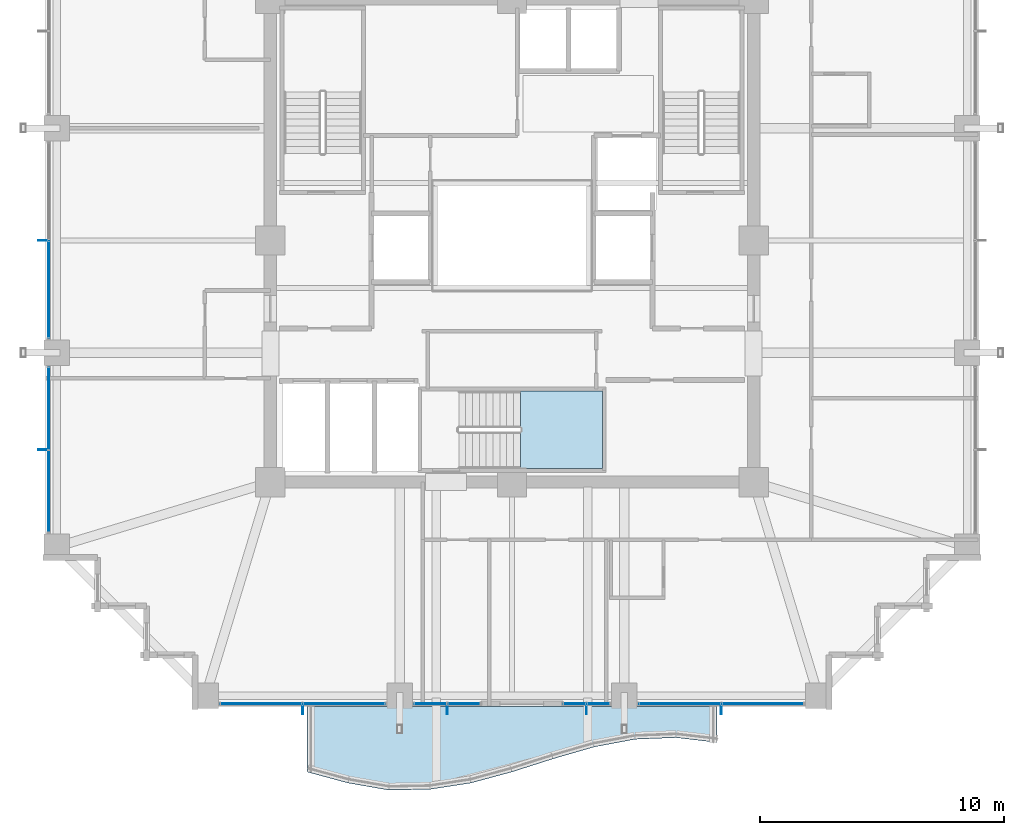
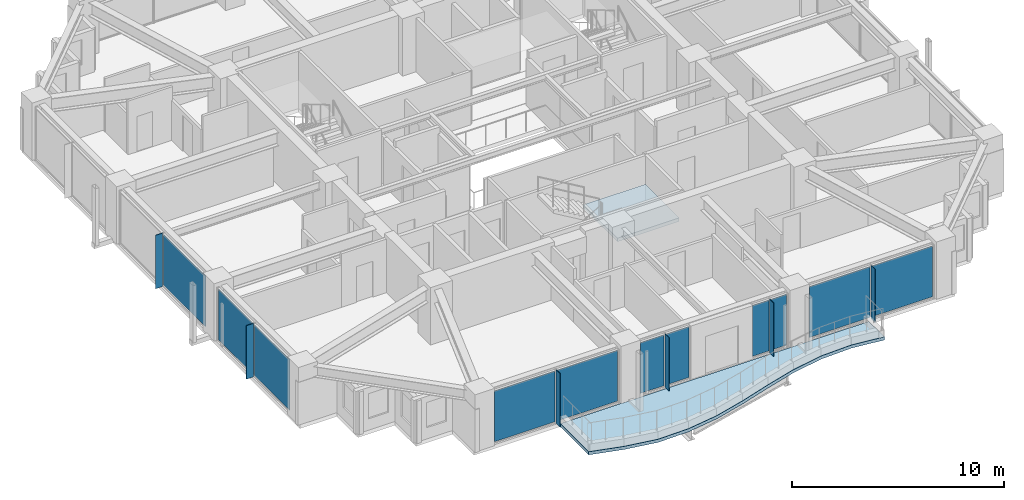
# One storey, part 20 of 31: 17 plates, 2 slabs, 7 elements without a shape of their own.
"""IFC4 building model written with IfcOpenShell, lengths in metres."""

from ifc_helpers import new_model, si_unit, direction, frame, origin, origin_2d, place, context, subcontext, project, spatial, polyline, rectangle, outline, extrude, material, layer, layer_set, type_object, element, aggregate, save


model = new_model("IFC4")

# Units and contexts
model_context = context("Model", 3, precision=1e-05, world=origin(), true_north=direction((0.0, 1.0)))
body_context = subcontext(model_context, "Body", "Model", "MODEL_VIEW")
ifc_project = project(units=[si_unit("LENGTHUNIT", "METRE"), si_unit("AREAUNIT", "SQUARE_METRE"), si_unit("VOLUMEUNIT", "CUBIC_METRE"), si_unit("PLANEANGLEUNIT", "RADIAN"), si_unit("MASSUNIT", "GRAM", prefix="KILO")], contexts=[model_context])

# Site, building, storey
site_placement = place(None, origin())
site = spatial("IfcSite", under=ifc_project, at=site_placement, CompositionType="ELEMENT")
building_placement = place(site_placement, origin())
building = spatial("IfcBuilding", under=site, at=building_placement, Name="Kolvaren Belvedere", CompositionType="ELEMENT")
storey_placement = place(building_placement, frame((0.0, 0.0, 118.39990234375)))
storey = spatial("IfcBuildingStorey", under=building, at=storey_placement, Name="L34", CompositionType="ELEMENT", Elevation=118.39990234375)

# Curtain wall, plates
ifc_material_1 = material(Name="Anodised pale-metal aluminium AA 6063-T6", Category="aluminium")
curtain_wall_type = type_object("IfcCurtainWallType", Name="CW-Z3-WAIST", PredefinedType="NOTDEFINED", material=ifc_material_1)
curtain_wall_1_placement = place(storey_placement, origin())
curtain_wall_1 = element("IfcCurtainWall", 1, at=curtain_wall_1_placement, inside=storey, type_object=curtain_wall_type, Name="L34 Unitised Curtain Wall FCW-L34-S1-B1", PredefinedType="NOTDEFINED")
ifc_material_2 = material(Name="Low-iron triple insulated glass", Category="glass")
ifc_layer_1 = layer(ifc_material_2, 0.028076171875)
ifc_layer_set_1 = layer_set([ifc_layer_1], Name="Low-iron triple insulated glass")
plate_type_1 = type_object("IfcPlateType", Name="CW-PNL-VIS28", PredefinedType="CURTAIN_PANEL", material=ifc_layer_set_1)
plate_1_placement = place(storey_placement, frame((10.273681640625, -18.97998046875, 0.080078125), z_axis=(0.0, 0.0, 1.0), x_axis=(-1.0, 0.0, 0.0)))
plate_1 = element("IfcPlate", 2, at=plate_1_placement, type_object=plate_type_1, Name="FCW-L34-S1-B1 Vision Glazing Panel 1", PredefinedType="CURTAIN_PANEL", context=body_context, shape_type="SweptSolid", body=[
    extrude(rectangle(XDim=3.3173828125, YDim=0.028076171875, at=origin_2d()), origin(), (0.0, 0.0, 1.0), 2.919921875),
])
plate_2_placement = place(storey_placement, frame((6.876220703125, -18.97998046875, 0.080078125), z_axis=(0.0, 0.0, 1.0), x_axis=(-1.0, 0.0, 0.0)))
plate_2 = element("IfcPlate", 3, at=plate_2_placement, type_object=plate_type_1, Name="FCW-L34-S1-B1 Vision Glazing Panel 2", PredefinedType="CURTAIN_PANEL", context=body_context, shape_type="SweptSolid", body=[
    extrude(rectangle(XDim=3.3173828125, YDim=0.028076171875, at=origin_2d()), origin(), (0.0, 0.0, 1.0), 2.919921875),
])
aggregate(curtain_wall_1, [plate_1, plate_2])

curtain_wall_2_placement = place(storey_placement, origin())
curtain_wall_2 = element("IfcCurtainWall", 4, at=curtain_wall_2_placement, inside=storey, type_object=curtain_wall_type, Name="L34 Unitised Curtain Wall FCW-L34-S1-B2", PredefinedType="NOTDEFINED")
plate_3_placement = place(storey_placement, frame((3.536865234375, -18.97998046875, 0.080078125), z_axis=(0.0, 0.0, 1.0), x_axis=(-1.0, 0.0, 0.0)))
plate_3 = element("IfcPlate", 5, at=plate_3_placement, type_object=plate_type_1, Name="FCW-L34-S1-B2 Vision Glazing Panel 1", PredefinedType="CURTAIN_PANEL", context=body_context, shape_type="SweptSolid", body=[
    extrude(rectangle(XDim=0.89111328125, YDim=0.028076171875, at=origin_2d()), origin(), (0.0, 0.0, 1.0), 2.919921875),
])
plate_4_placement = place(storey_placement, frame((2.565673828125, -18.97998046875, 0.080078125), z_axis=(0.0, 0.0, 1.0), x_axis=(-1.0, 0.0, 0.0)))
plate_4 = element("IfcPlate", 6, at=plate_4_placement, type_object=plate_type_1, Name="FCW-L34-S1-B2 Vision Glazing Panel 2", PredefinedType="CURTAIN_PANEL", context=body_context, shape_type="SweptSolid", body=[
    extrude(rectangle(XDim=0.89111328125, YDim=0.028076171875, at=origin_2d()), origin(), (0.0, 0.0, 1.0), 2.919921875),
])
aggregate(curtain_wall_2, [plate_3, plate_4])

curtain_wall_3_placement = place(storey_placement, origin())
curtain_wall_3 = element("IfcCurtainWall", 7, at=curtain_wall_3_placement, inside=storey, type_object=curtain_wall_type, Name="L34 Unitised Curtain Wall FCW-L34-S2-B1", PredefinedType="NOTDEFINED")
plate_5_placement = place(storey_placement, frame((-1.965576171875, -18.97998046875, 0.080078125), z_axis=(0.0, 0.0, 1.0), x_axis=(-1.0, 0.0, 0.0)))
plate_5 = element("IfcPlate", 8, at=plate_5_placement, type_object=plate_type_1, Name="FCW-L34-S2-B1 Vision Glazing Panel 1", PredefinedType="CURTAIN_PANEL", context=body_context, shape_type="SweptSolid", body=[
    extrude(rectangle(XDim=1.291259765625, YDim=0.028076171875, at=origin_2d()), origin(), (0.0, 0.0, 1.0), 2.919921875),
])
plate_6_placement = place(storey_placement, frame((-3.3369140625, -18.97998046875, 0.080078125), z_axis=(0.0, 0.0, 1.0), x_axis=(-1.0, 0.0, 0.0)))
plate_6 = element("IfcPlate", 9, at=plate_6_placement, type_object=plate_type_1, Name="FCW-L34-S2-B1 Vision Glazing Panel 2", PredefinedType="CURTAIN_PANEL", context=body_context, shape_type="SweptSolid", body=[
    extrude(rectangle(XDim=1.291259765625, YDim=0.028076171875, at=origin_2d()), origin(), (0.0, 0.0, 1.0), 2.919921875),
])
aggregate(curtain_wall_3, [plate_5, plate_6])

curtain_wall_4_placement = place(storey_placement, origin())
curtain_wall_4 = element("IfcCurtainWall", 10, at=curtain_wall_4_placement, inside=storey, type_object=curtain_wall_type, Name="L34 Unitised Curtain Wall FCW-L34-S2-B2", PredefinedType="NOTDEFINED")
plate_7_placement = place(storey_placement, frame((-6.876220703125, -18.97998046875, 0.080078125), z_axis=(0.0, 0.0, 1.0), x_axis=(-1.0, 0.0, 0.0)))
plate_7 = element("IfcPlate", 11, at=plate_7_placement, type_object=plate_type_1, Name="FCW-L34-S2-B2 Vision Glazing Panel 1", PredefinedType="CURTAIN_PANEL", context=body_context, shape_type="SweptSolid", body=[
    extrude(rectangle(XDim=3.3173828125, YDim=0.028076171875, at=origin_2d()), origin(), (0.0, 0.0, 1.0), 2.919921875),
])
plate_8_placement = place(storey_placement, frame((-10.273681640625, -18.97998046875, 0.080078125), z_axis=(0.0, 0.0, 1.0), x_axis=(-1.0, 0.0, 0.0)))
plate_8 = element("IfcPlate", 12, at=plate_8_placement, type_object=plate_type_1, Name="FCW-L34-S2-B2 Vision Glazing Panel 2", PredefinedType="CURTAIN_PANEL", context=body_context, shape_type="SweptSolid", body=[
    extrude(rectangle(XDim=3.3173828125, YDim=0.028076171875, at=origin_2d()), origin(), (0.0, 0.0, 1.0), 2.919921875),
])
aggregate(curtain_wall_4, [plate_7, plate_8])

curtain_wall_5_placement = place(storey_placement, origin())
curtain_wall_5 = element("IfcCurtainWall", 13, at=curtain_wall_5_placement, inside=storey, type_object=curtain_wall_type, Name="L34 Unitised Curtain Wall FCW-L34-W-B1", PredefinedType="NOTDEFINED")
plate_9_placement = place(storey_placement, frame((-18.97998046875, -10.273681640625, 0.080078125), z_axis=(0.0, 0.0, 1.0), x_axis=(0.0, 1.0, 0.0)))
plate_9 = element("IfcPlate", 14, at=plate_9_placement, type_object=plate_type_1, Name="FCW-L34-W-B1 Vision Glazing Panel 1", PredefinedType="CURTAIN_PANEL", context=body_context, shape_type="SweptSolid", body=[
    extrude(rectangle(XDim=3.3173828125, YDim=0.028076171875, at=origin_2d()), origin(), (0.0, 0.0, 1.0), 2.919921875),
])
plate_10_placement = place(storey_placement, frame((-18.97998046875, -6.876220703125, 0.080078125), z_axis=(0.0, 0.0, 1.0), x_axis=(0.0, 1.0, 0.0)))
plate_10 = element("IfcPlate", 15, at=plate_10_placement, type_object=plate_type_1, Name="FCW-L34-W-B1 Vision Glazing Panel 2", PredefinedType="CURTAIN_PANEL", context=body_context, shape_type="SweptSolid", body=[
    extrude(rectangle(XDim=3.3173828125, YDim=0.028076171875, at=origin_2d()), origin(), (0.0, 0.0, 1.0), 2.919921875),
])
aggregate(curtain_wall_5, [plate_9, plate_10])

# Curtain wall, plate
curtain_wall_6_placement = place(storey_placement, origin())
curtain_wall_6 = element("IfcCurtainWall", 16, at=curtain_wall_6_placement, inside=storey, type_object=curtain_wall_type, Name="L34 Unitised Curtain Wall FCW-L34-W-B2", PredefinedType="NOTDEFINED")
plate_11_placement = place(storey_placement, frame((-18.97998046875, -2.01123046875, 0.080078125), z_axis=(0.0, 0.0, 1.0), x_axis=(0.0, 1.0, 0.0)))
plate_11 = element("IfcPlate", 17, at=plate_11_placement, type_object=plate_type_1, Name="FCW-L34-W-B2 Vision Glazing Panel 1", PredefinedType="CURTAIN_PANEL", context=body_context, shape_type="SweptSolid", body=[
    extrude(rectangle(XDim=3.9423828125, YDim=0.028076171875, at=origin_2d()), origin(), (0.0, 0.0, 1.0), 2.919921875),
])
aggregate(curtain_wall_6, [plate_11])

# Plates
ifc_material_3 = material(Name="Anodised pale-metal aluminium AA 6063-T6", Category="aluminium")
ifc_layer_2 = layer(ifc_material_3, 0.033935546875)
ifc_layer_set_2 = layer_set([ifc_layer_2], Name="Anodised pale-metal aluminium AA 6063-T6")
plate_type_2 = type_object("IfcPlateType", Name="FIN-VERT-380", PredefinedType="USERDEFINED", material=ifc_layer_set_2)
for number, where, z_axis, x_axis, name in (
    (18, (8.574951171875, -19.219970703125, 0.0), (0.0, 0.0, 1.0), (0.0, 1.0, 0.0), "L34 Pale-Metal Vertical Shading Fin FCW-L34-S1-B1-1"),
    (19, (3.05126953125, -19.219970703125, 0.0), (0.0, 0.0, 1.0), (0.0, 1.0, 0.0), "L34 Pale-Metal Vertical Shading Fin FCW-L34-S1-B2-1"),
    (20, (-2.6513671875, -19.219970703125, 0.0), (0.0, 0.0, 1.0), (0.0, 1.0, 0.0), "L34 Pale-Metal Vertical Shading Fin FCW-L34-S2-B1-1"),
    (21, (-8.574951171875, -19.219970703125, 0.0), (0.0, 0.0, 1.0), (0.0, 1.0, 0.0), "L34 Pale-Metal Vertical Shading Fin FCW-L34-S2-B2-1"),
    (22, (-19.219970703125, -8.574951171875, 0.0), (0.0, 0.0, 1.0), (1.0, 0.0, 0.0), "L34 Pale-Metal Vertical Shading Fin FCW-L34-W-B1-1"),
    (23, (-19.219970703125, 0.0, 0.0), (0.0, 0.0, 1.0), (1.0, 0.0, 0.0), "L34 Pale-Metal Vertical Shading Fin FCW-L34-W-B2-1"),
):
    element("IfcPlate", number, at=place(storey_placement, frame(where, z_axis=z_axis, x_axis=x_axis)), inside=storey, type_object=plate_type_2, Name=name, ObjectType="VERTICAL FIN", PredefinedType="USERDEFINED", context=body_context, shape_type="SweptSolid", body=[
        extrude(rectangle(XDim=0.3798828125, YDim=0.033935546875, at=origin_2d()), origin(), (0.0, 0.0, 1.0), 3.080078125),
    ])

# Slab
ifc_material_4 = material(Name="Concrete C50/60", Category="concrete")
ifc_layer_3 = layer(ifc_material_4, 0.179931640625)
ifc_layer_set_3 = layer_set([ifc_layer_3], Name="Concrete C50/60")
slab_type_1 = type_object("IfcSlabType", Name="SL-BAL-180", PredefinedType="FLOOR", material=ifc_layer_set_3)
slab_1_placement = place(storey_placement, frame((0.0, 0.0, -0.219970703125)))
element("IfcSlab", 24, at=slab_1_placement, inside=storey, type_object=slab_type_1, Name="L34 Planted Balcony BAL-S", PredefinedType="FLOOR", context=body_context, shape_type="SweptSolid", body=[
    extrude(outline(polyline([(-8.39990234375, -21.773681640625), (-6.719970703125, -22.227294921875), (-5.0400390625, -22.52001953125), (-3.360107421875, -22.486083984375), (-1.679931640625, -22.227294921875), (0.0, -21.773681640625), (1.679931640625, -21.237548828125), (3.360107421875, -20.751708984375), (5.0400390625, -20.435791015625), (6.719970703125, -20.368408203125), (8.39990234375, -20.56640625), (8.39990234375, -19.10009765625), (6.719970703125, -19.10009765625), (5.0400390625, -19.10009765625), (3.360107421875, -19.10009765625), (1.679931640625, -19.10009765625), (0.0, -19.10009765625), (-1.679931640625, -19.10009765625), (-3.360107421875, -19.10009765625), (-5.0400390625, -19.10009765625), (-6.719970703125, -19.10009765625), (-8.39990234375, -19.10009765625), (-8.39990234375, -21.773681640625)])), origin(), (0.0, 0.0, 1.0), 0.18017578125),
])

# Stair, slab
ifc_material_5 = material(Name="Concrete C50/60", Category="concrete")
stair_type = type_object("IfcStairType", Name="ST-CORE-1520", PredefinedType="HALF_TURN_STAIR", material=ifc_material_5)
stair_placement = place(storey_placement, origin())
stair = element("IfcStair", 25, at=stair_placement, inside=storey, type_object=stair_type, Name="L34 Protected Exit Stair ST-3", PredefinedType="HALF_TURN_STAIR")
ifc_material_6 = material(Name="Concrete C50/60", Category="concrete")
ifc_layer_4 = layer(ifc_material_6, 0.260009765625)
ifc_layer_set_4 = layer_set([ifc_layer_4], Name="Concrete C50/60")
slab_type_2 = type_object("IfcSlabType", Name="SL-LAND-260", PredefinedType="LANDING", material=ifc_layer_set_4)
slab_2_placement = place(storey_placement, frame((0.0, 0.0, 1.4501953125)))
slab_2 = element("IfcSlab", 26, at=slab_2_placement, type_object=slab_type_2, Name="ST-3 landing 1", PredefinedType="LANDING", context=body_context, shape_type="SweptSolid", body=[
    extrude(outline(polyline([(0.340087890625, -9.35009765625), (3.699951171875, -9.35009765625), (3.699951171875, -6.159912109375), (0.340087890625, -6.159912109375), (0.340087890625, -9.35009765625)])), origin(), (0.0, 0.0, 1.0), 0.199951171875),
])
aggregate(stair, [slab_2])

save(model, "model.ifc")
